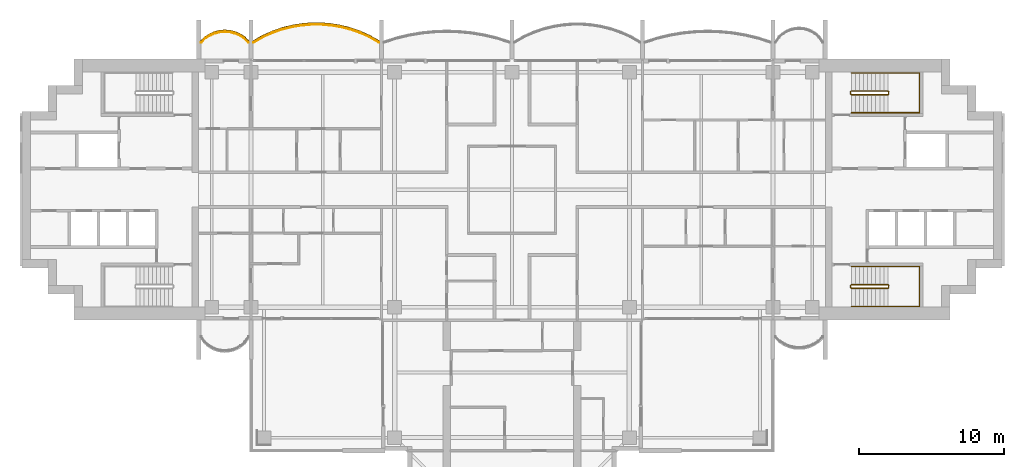
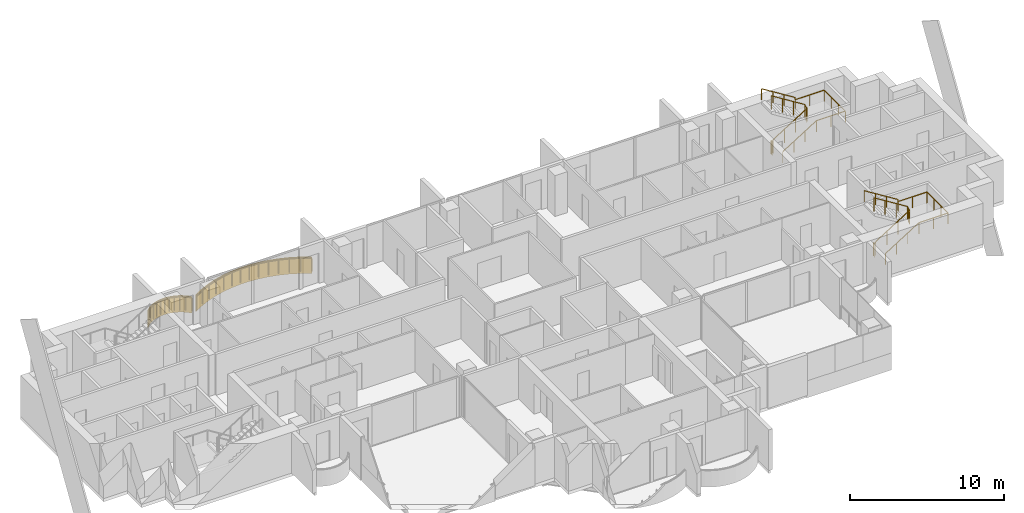
# One storey, part 16 of 17: 6 railings, 2 coverings.
"""IFC4 building model written with IfcOpenShell, lengths in metres."""

from ifc_helpers import new_model, si_unit, direction, frame, origin, origin_2d, place, context, subcontext, project, spatial, polyline, rectangle, outline, extrude, material, layer, layer_set, type_object, element, save


model = new_model("IFC4")

# Units and contexts
model_context = context("Model", 3, precision=1e-05, world=origin(), true_north=direction((0.0, 1.0)))
body_context = subcontext(model_context, "Body", "Model", "MODEL_VIEW")
ifc_project = project(units=[si_unit("LENGTHUNIT", "METRE"), si_unit("AREAUNIT", "SQUARE_METRE"), si_unit("VOLUMEUNIT", "CUBIC_METRE"), si_unit("PLANEANGLEUNIT", "RADIAN"), si_unit("MASSUNIT", "GRAM", prefix="KILO")], contexts=[model_context])

# Site, building, storey
site_placement = place(None, origin())
site = spatial("IfcSite", under=ifc_project, at=site_placement, CompositionType="ELEMENT")
building_placement = place(site_placement, origin())
building = spatial("IfcBuilding", under=site, at=building_placement, Name="Perihelion Cross Residences", CompositionType="ELEMENT")
storey_placement = place(building_placement, frame((0.0, 0.0, 205.10009765625)))
storey = spatial("IfcBuildingStorey", under=building, at=storey_placement, Name="L51", CompositionType="ELEMENT", Elevation=205.10009765625)

# Coverings
ifc_material_1 = material(Name="Bronze anodised aluminium", Category="aluminium")
ifc_layer = layer(ifc_material_1, 0.070068359375)
ifc_layer_set = layer_set([ifc_layer], Name="Balcony fascia 1300")
covering_type = type_object("IfcCoveringType", Name="Balcony fascia 1300", PredefinedType="CLADDING", material=ifc_layer_set)
covering_1_placement = place(storey_placement, frame((0.0, 0.0, -0.2001953125)))
element("IfcCovering", 1, at=covering_1_placement, inside=storey, type_object=covering_type, Name="Fascia BF1 L51 west side north bay 1", PredefinedType="CLADDING", context=body_context, shape_type="SweptSolid", body=[
    extrude(outline(polyline([(-9.787841796875, 10.63916015625), (-10.462646484375, 10.941650390625), (-11.1376953125, 11.175048828125), (-11.8125, 11.345947265625), (-12.487548828125, 11.457763671875), (-13.16259765625, 11.51318359375), (-13.83740234375, 11.51318359375), (-14.512451171875, 11.457763671875), (-15.1875, 11.345947265625), (-15.8623046875, 11.175048828125), (-16.537353515625, 10.941650390625), (-17.212158203125, 10.63916015625), (-17.85009765625, 10.2802734375), (-17.85009765625, 10.199951171875), (-17.1806640625, 10.57666015625), (-16.511474609375, 10.87646484375), (-15.84228515625, 11.108154296875), (-15.173095703125, 11.27734375), (-14.50390625, 11.38818359375), (-13.834716796875, 11.443115234375), (-13.165283203125, 11.443115234375), (-12.49609375, 11.38818359375), (-11.826904296875, 11.27734375), (-11.15771484375, 11.108154296875), (-10.488525390625, 10.87646484375), (-9.8193359375, 10.57666015625), (-9.14990234375, 10.199951171875), (-9.14990234375, 10.2802734375), (-9.787841796875, 10.63916015625)])), origin(), (0.0, 0.0, 1.0), 1.300048828125),
])
covering_2_placement = place(storey_placement, frame((0.0, 0.0, -0.2001953125)))
element("IfcCovering", 2, at=covering_2_placement, inside=storey, type_object=covering_type, Name="Fascia BF1 L51 west side north bay 2", PredefinedType="CLADDING", context=body_context, shape_type="SweptSolid", body=[
    extrude(outline(polyline([(-18.4375, 10.56298828125), (-18.778076171875, 10.77587890625), (-19.11865234375, 10.914794921875), (-19.45947265625, 10.994140625), (-19.800048828125, 11.02001953125), (-20.140625, 10.994140625), (-20.481201171875, 10.914794921875), (-20.82177734375, 10.77587890625), (-21.16259765625, 10.56298828125), (-21.449951171875, 10.295654296875), (-21.449951171875, 10.199951171875), (-21.1201171875, 10.507568359375), (-20.7900390625, 10.71337890625), (-20.4599609375, 10.84814453125), (-20.1298828125, 10.925048828125), (-19.800048828125, 10.949951171875), (-19.469970703125, 10.925048828125), (-19.139892578125, 10.84814453125), (-18.81005859375, 10.71337890625), (-18.47998046875, 10.507568359375), (-18.14990234375, 10.199951171875), (-18.14990234375, 10.295654296875), (-18.4375, 10.56298828125)])), origin(), (0.0, 0.0, 1.0), 1.300048828125),
])

# Railings
ifc_material_2 = material(Name="Bronze anodised aluminium", Category="aluminium")
railing_type_1 = type_object("IfcRailingType", Name="Balcony guard 1100", PredefinedType="GUARDRAIL", material=ifc_material_2)
railing_1_placement = place(storey_placement, frame((-9.175048828125, 10.139892578125, 0.0)))
element("IfcRailing", 3, at=railing_1_placement, inside=storey, type_object=railing_type_1, Name="Guard GU1 L51 west side north bay 1 balcony", PredefinedType="GUARDRAIL", context=body_context, shape_type="SweptSolid", body=[
    extrude(rectangle(XDim=0.048095703125, YDim=0.048095703125, at=origin_2d()), frame((0.0, 0.0, 1.076171875), z_axis=(-0.863125740505, 0.504989065305, 0.0), x_axis=(-0.504989065305, -0.863125740505, 0.0)), (0.0, 0.0, 1.0), 0.746337890625),
    extrude(rectangle(XDim=0.048095703125, YDim=0.048095703125, at=origin_2d()), frame((-0.644287109375, 0.376953125, 1.076171875), z_axis=(-0.912723499295, 0.408577794103, 0.0), x_axis=(-0.408577794103, -0.912723499295, 0.0)), (0.0, 0.0, 1.0), 0.733154296875),
    extrude(rectangle(XDim=0.048095703125, YDim=0.048095703125, at=origin_2d()), frame((-1.3134765625, 0.676513671875, 1.076171875), z_axis=(-0.944965577734, 0.327169767701, 0.0), x_axis=(-0.327169767701, -0.944965577734, 0.0)), (0.0, 0.0, 1.0), 0.708251953125),
    extrude(rectangle(XDim=0.048095703125, YDim=0.048095703125, at=origin_2d()), frame((-1.982666015625, 0.908203125, 1.076171875), z_axis=(-0.96949408574, 0.245114703181, 0.0), x_axis=(-0.245114703181, -0.96949408574, 0.0)), (0.0, 0.0, 1.0), 0.690185546875),
    extrude(rectangle(XDim=0.048095703125, YDim=0.048095703125, at=origin_2d()), frame((-2.65185546875, 1.077392578125, 1.076171875), z_axis=(-0.986500713816, 0.163756959061, 0.0), x_axis=(-0.163756959061, -0.986500713816, 0.0)), (0.0, 0.0, 1.0), 0.678466796875),
    extrude(rectangle(XDim=0.048095703125, YDim=0.048095703125, at=origin_2d()), frame((-3.321044921875, 1.1884765625, 1.076171875), z_axis=(-0.996677390684, 0.081450468994, 0.0), x_axis=(-0.081450468994, -0.996677390684, 0.0)), (0.0, 0.0, 1.0), 0.67138671875),
    extrude(rectangle(XDim=0.048095703125, YDim=0.048095703125, at=origin_2d()), frame((-3.990234375, 1.2431640625, 1.076171875), z_axis=(-1.0, 0.0, 0.0), x_axis=(0.0, -1.0, 0.0)), (0.0, 0.0, 1.0), 0.66943359375),
    extrude(rectangle(XDim=0.048095703125, YDim=0.048095703125, at=origin_2d()), frame((-4.65966796875, 1.2431640625, 1.076171875), z_axis=(-0.996677390684, -0.081450468994, 0.0), x_axis=(0.081450468994, -0.996677390684, 0.0)), (0.0, 0.0, 1.0), 0.67138671875),
    extrude(rectangle(XDim=0.048095703125, YDim=0.048095703125, at=origin_2d()), frame((-5.328857421875, 1.1884765625, 1.076171875), z_axis=(-0.986500713816, -0.163756959061, 0.0), x_axis=(0.163756959061, -0.986500713816, 0.0)), (0.0, 0.0, 1.0), 0.678466796875),
    extrude(rectangle(XDim=0.048095703125, YDim=0.048095703125, at=origin_2d()), frame((-5.998046875, 1.077392578125, 1.076171875), z_axis=(-0.96949408574, -0.245114703181, 0.0), x_axis=(0.245114703181, -0.96949408574, 0.0)), (0.0, 0.0, 1.0), 0.690185546875),
    extrude(rectangle(XDim=0.048095703125, YDim=0.048095703125, at=origin_2d()), frame((-6.667236328125, 0.908203125, 1.076171875), z_axis=(-0.944965577734, -0.327169767701, 0.0), x_axis=(0.327169767701, -0.944965577734, 0.0)), (0.0, 0.0, 1.0), 0.708251953125),
    extrude(rectangle(XDim=0.048095703125, YDim=0.048095703125, at=origin_2d()), frame((-7.33642578125, 0.676513671875, 1.076171875), z_axis=(-0.912723499295, -0.408577794103, 0.0), x_axis=(0.408577794103, -0.912723499295, 0.0)), (0.0, 0.0, 1.0), 0.733154296875),
    extrude(rectangle(XDim=0.048095703125, YDim=0.048095703125, at=origin_2d()), frame((-8.005615234375, 0.376953125, 1.076171875), z_axis=(-0.863125740505, -0.504989065305, 0.0), x_axis=(0.504989065305, -0.863125740505, 0.0)), (0.0, 0.0, 1.0), 0.746337890625),
    extrude(rectangle(XDim=0.0419921875, YDim=0.0419921875, at=origin_2d()), origin(), (0.0, 0.0, 1.0), 1.052001953125),
    extrude(rectangle(XDim=0.0419921875, YDim=0.0419921875, at=origin_2d()), frame((-0.644287109375, 0.376953125, 0.0)), (0.0, 0.0, 1.0), 1.052001953125),
    extrude(rectangle(XDim=0.0419921875, YDim=0.0419921875, at=origin_2d()), frame((-1.3134765625, 0.676513671875, 0.0)), (0.0, 0.0, 1.0), 1.052001953125),
    extrude(rectangle(XDim=0.0419921875, YDim=0.0419921875, at=origin_2d()), frame((-1.982666015625, 0.908203125, 0.0)), (0.0, 0.0, 1.0), 1.052001953125),
    extrude(rectangle(XDim=0.0419921875, YDim=0.0419921875, at=origin_2d()), frame((-2.65185546875, 1.077392578125, 0.0)), (0.0, 0.0, 1.0), 1.052001953125),
    extrude(rectangle(XDim=0.0419921875, YDim=0.0419921875, at=origin_2d()), frame((-3.321044921875, 1.1884765625, 0.0)), (0.0, 0.0, 1.0), 1.052001953125),
    extrude(rectangle(XDim=0.0419921875, YDim=0.0419921875, at=origin_2d()), frame((-3.990234375, 1.2431640625, 0.0)), (0.0, 0.0, 1.0), 1.052001953125),
    extrude(rectangle(XDim=0.0419921875, YDim=0.0419921875, at=origin_2d()), frame((-4.65966796875, 1.2431640625, 0.0)), (0.0, 0.0, 1.0), 1.052001953125),
    extrude(rectangle(XDim=0.0419921875, YDim=0.0419921875, at=origin_2d()), frame((-5.328857421875, 1.1884765625, 0.0)), (0.0, 0.0, 1.0), 1.052001953125),
    extrude(rectangle(XDim=0.0419921875, YDim=0.0419921875, at=origin_2d()), frame((-5.998046875, 1.077392578125, 0.0)), (0.0, 0.0, 1.0), 1.052001953125),
    extrude(rectangle(XDim=0.0419921875, YDim=0.0419921875, at=origin_2d()), frame((-6.667236328125, 0.908203125, 0.0)), (0.0, 0.0, 1.0), 1.052001953125),
    extrude(rectangle(XDim=0.0419921875, YDim=0.0419921875, at=origin_2d()), frame((-7.33642578125, 0.676513671875, 0.0)), (0.0, 0.0, 1.0), 1.052001953125),
    extrude(rectangle(XDim=0.0419921875, YDim=0.0419921875, at=origin_2d()), frame((-8.005615234375, 0.376953125, 0.0)), (0.0, 0.0, 1.0), 1.052001953125),
    extrude(rectangle(XDim=0.0419921875, YDim=0.0419921875, at=origin_2d()), frame((-8.64990234375, 0.0, 0.0)), (0.0, 0.0, 1.0), 1.052001953125),
])
railing_2_placement = place(storey_placement, frame((-18.175048828125, 10.139892578125, 0.0)))
element("IfcRailing", 4, at=railing_2_placement, inside=storey, type_object=railing_type_1, Name="Guard GU1 L51 west side north bay 2 balcony", PredefinedType="GUARDRAIL", context=body_context, shape_type="SweptSolid", body=[
    extrude(rectangle(XDim=0.048095703125, YDim=0.048095703125, at=origin_2d()), frame((0.0, 0.0, 1.076171875), z_axis=(-0.703999905859, 0.710200065158, 0.0), x_axis=(-0.710200065158, -0.703999905859, 0.0)), (0.0, 0.0, 1.0), 0.43310546875),
    extrude(rectangle(XDim=0.048095703125, YDim=0.048095703125, at=origin_2d()), frame((-0.304931640625, 0.3076171875, 1.076171875), z_axis=(-0.848280173265, 0.529547682127, 0.0), x_axis=(-0.529547682127, -0.848280173265, 0.0)), (0.0, 0.0, 1.0), 0.38916015625),
    extrude(rectangle(XDim=0.048095703125, YDim=0.048095703125, at=origin_2d()), frame((-0.635009765625, 0.513671875, 1.076171875), z_axis=(-0.925950379976, 0.377645195682, 0.0), x_axis=(-0.377645195682, -0.925950379976, 0.0)), (0.0, 0.0, 1.0), 0.356201171875),
    extrude(rectangle(XDim=0.048095703125, YDim=0.048095703125, at=origin_2d()), frame((-0.96484375, 0.648193359375, 1.076171875), z_axis=(-0.97391554583, 0.226910796551, 0.0), x_axis=(-0.226910796551, -0.97391554583, 0.0)), (0.0, 0.0, 1.0), 0.3388671875),
    extrude(rectangle(XDim=0.048095703125, YDim=0.048095703125, at=origin_2d()), frame((-1.294921875, 0.72509765625, 1.076171875), z_axis=(-0.997166208737, 0.075229995038, 0.0), x_axis=(-0.075229995038, -0.997166208737, 0.0)), (0.0, 0.0, 1.0), 0.3310546875),
    extrude(rectangle(XDim=0.048095703125, YDim=0.048095703125, at=origin_2d()), frame((-1.625, 0.75, 1.076171875), z_axis=(-0.997162029931, -0.075285364214, 0.0), x_axis=(0.075285364214, -0.997162029931, 0.0)), (0.0, 0.0, 1.0), 0.330810546875),
    extrude(rectangle(XDim=0.048095703125, YDim=0.048095703125, at=origin_2d()), frame((-1.954833984375, 0.72509765625, 1.076171875), z_axis=(-0.97391554583, -0.226910796551, 0.0), x_axis=(0.226910796551, -0.97391554583, 0.0)), (0.0, 0.0, 1.0), 0.3388671875),
    extrude(rectangle(XDim=0.048095703125, YDim=0.048095703125, at=origin_2d()), frame((-2.284912109375, 0.648193359375, 1.076171875), z_axis=(-0.926048033295, -0.377405670374, 0.0), x_axis=(0.377405670374, -0.926048033295, 0.0)), (0.0, 0.0, 1.0), 0.3564453125),
    extrude(rectangle(XDim=0.048095703125, YDim=0.048095703125, at=origin_2d()), frame((-2.614990234375, 0.513671875, 1.076171875), z_axis=(-0.848280173265, -0.529547682127, 0.0), x_axis=(0.529547682127, -0.848280173265, 0.0)), (0.0, 0.0, 1.0), 0.38916015625),
    extrude(rectangle(XDim=0.048095703125, YDim=0.048095703125, at=origin_2d()), frame((-2.945068359375, 0.3076171875, 1.076171875), z_axis=(-0.703999905859, -0.710200065158, 0.0), x_axis=(0.710200065158, -0.703999905859, 0.0)), (0.0, 0.0, 1.0), 0.43310546875),
    extrude(rectangle(XDim=0.0419921875, YDim=0.0419921875, at=origin_2d()), origin(), (0.0, 0.0, 1.0), 1.052001953125),
    extrude(rectangle(XDim=0.0419921875, YDim=0.0419921875, at=origin_2d()), frame((-0.304931640625, 0.3076171875, 0.0)), (0.0, 0.0, 1.0), 1.052001953125),
    extrude(rectangle(XDim=0.0419921875, YDim=0.0419921875, at=origin_2d()), frame((-0.635009765625, 0.513671875, 0.0)), (0.0, 0.0, 1.0), 1.052001953125),
    extrude(rectangle(XDim=0.0419921875, YDim=0.0419921875, at=origin_2d()), frame((-0.96484375, 0.648193359375, 0.0)), (0.0, 0.0, 1.0), 1.052001953125),
    extrude(rectangle(XDim=0.0419921875, YDim=0.0419921875, at=origin_2d()), frame((-1.294921875, 0.72509765625, 0.0)), (0.0, 0.0, 1.0), 1.052001953125),
    extrude(rectangle(XDim=0.0419921875, YDim=0.0419921875, at=origin_2d()), frame((-1.625, 0.75, 0.0)), (0.0, 0.0, 1.0), 1.052001953125),
    extrude(rectangle(XDim=0.0419921875, YDim=0.0419921875, at=origin_2d()), frame((-1.954833984375, 0.72509765625, 0.0)), (0.0, 0.0, 1.0), 1.052001953125),
    extrude(rectangle(XDim=0.0419921875, YDim=0.0419921875, at=origin_2d()), frame((-2.284912109375, 0.648193359375, 0.0)), (0.0, 0.0, 1.0), 1.052001953125),
    extrude(rectangle(XDim=0.0419921875, YDim=0.0419921875, at=origin_2d()), frame((-2.614990234375, 0.513671875, 0.0)), (0.0, 0.0, 1.0), 1.052001953125),
    extrude(rectangle(XDim=0.0419921875, YDim=0.0419921875, at=origin_2d()), frame((-2.945068359375, 0.3076171875, 0.0)), (0.0, 0.0, 1.0), 1.052001953125),
    extrude(rectangle(XDim=0.0419921875, YDim=0.0419921875, at=origin_2d()), frame((-3.25, 0.0, 0.0)), (0.0, 0.0, 1.0), 1.052001953125),
])
ifc_material_3 = material(Name="Stainless steel", Category="steel")
railing_type_2 = type_object("IfcRailingType", Name="Stair guard 1100", PredefinedType="GUARDRAIL", material=ifc_material_3)
railing_3_placement = place(storey_placement, frame((23.35009765625, 6.75, 0.0)))
element("IfcRailing", 5, at=railing_3_placement, inside=storey, type_object=railing_type_2, Name="L51 ST-E1 stair guard 1", PredefinedType="GUARDRAIL", context=body_context, shape_type="SweptSolid", body=[
    extrude(rectangle(XDim=0.048095703125, YDim=0.048095703125, at=origin_2d()), frame((0.0, 0.0, 1.076171875), z_axis=(0.0, -1.0, 0.0), x_axis=(1.0, 0.0, 0.0)), (0.0, 0.0, 1.0), 0.14990234375),
    extrude(rectangle(XDim=0.048095703125, YDim=0.048095703125, at=origin_2d()), frame((0.0, -0.14990234375, 1.076171875), z_axis=(0.264179342666, -0.265474339444, 0.927217692888), x_axis=(0.708833529934, 0.705375805398, 0.0)), (0.0, 0.0, 1.0), 0.1884765625),
    extrude(rectangle(XDim=0.048095703125, YDim=0.048095703125, at=origin_2d()), frame((0.0498046875, -0.199951171875, 1.2509765625), z_axis=(0.847970611238, 0.0, 0.530043245855), x_axis=(0.0, 1.0, 0.0)), (0.0, 0.0, 1.0), 2.971923828125),
    extrude(rectangle(XDim=0.048095703125, YDim=0.048095703125, at=origin_2d()), frame((2.56982421875, -0.199951171875, 2.826171875), z_axis=(0.707106781187, 0.707106781187, 0.0), x_axis=(-0.707106781187, 0.707106781187, 0.0)), (0.0, 0.0, 1.0), 0.07080078125),
    extrude(rectangle(XDim=0.048095703125, YDim=0.048095703125, at=origin_2d()), frame((2.619873046875, -0.14990234375, 2.826171875), z_axis=(0.0, 1.0, 0.0), x_axis=(-1.0, 0.0, 0.0)), (0.0, 0.0, 1.0), 0.14990234375),
    extrude(rectangle(XDim=0.048095703125, YDim=0.048095703125, at=origin_2d()), frame((2.619873046875, 0.0, 2.826171875), z_axis=(-0.265383341853, 0.265383341853, 0.926899867156), x_axis=(-0.707106781187, -0.707106781187, 0.0)), (0.0, 0.0, 1.0), 0.1884765625),
    extrude(rectangle(XDim=0.048095703125, YDim=0.048095703125, at=origin_2d()), frame((2.56982421875, 0.050048828125, 3.0009765625), z_axis=(-0.847970611238, 0.0, 0.530043245855), x_axis=(0.0, -1.0, 0.0)), (0.0, 0.0, 1.0), 2.971923828125),
    extrude(rectangle(XDim=0.0419921875, YDim=0.0419921875, at=origin_2d()), origin(), (0.0, 0.0, 1.0), 1.052001953125),
    extrude(rectangle(XDim=0.0419921875, YDim=0.0419921875, at=origin_2d()), frame((0.0, -0.14990234375, 0.0)), (0.0, 0.0, 1.0), 1.052001953125),
    extrude(rectangle(XDim=0.0419921875, YDim=0.0419921875, at=origin_2d()), frame((0.0498046875, -0.199951171875, 0.1748046875)), (0.0, 0.0, 1.0), 1.052001953125),
    extrude(rectangle(XDim=0.0419921875, YDim=0.0419921875, at=origin_2d()), frame((0.889892578125, -0.199951171875, 0.699951171875)), (0.0, 0.0, 1.0), 1.052001953125),
    extrude(rectangle(XDim=0.0419921875, YDim=0.0419921875, at=origin_2d()), frame((1.729736328125, -0.199951171875, 1.224853515625)), (0.0, 0.0, 1.0), 1.052001953125),
    extrude(rectangle(XDim=0.0419921875, YDim=0.0419921875, at=origin_2d()), frame((2.56982421875, -0.199951171875, 1.75)), (0.0, 0.0, 1.0), 1.052001953125),
    extrude(rectangle(XDim=0.0419921875, YDim=0.0419921875, at=origin_2d()), frame((2.619873046875, -0.14990234375, 1.75)), (0.0, 0.0, 1.0), 1.052001953125),
    extrude(rectangle(XDim=0.0419921875, YDim=0.0419921875, at=origin_2d()), frame((2.619873046875, 0.0, 1.75)), (0.0, 0.0, 1.0), 1.052001953125),
    extrude(rectangle(XDim=0.0419921875, YDim=0.0419921875, at=origin_2d()), frame((2.56982421875, 0.050048828125, 1.9248046875)), (0.0, 0.0, 1.0), 1.052001953125),
    extrude(rectangle(XDim=0.0419921875, YDim=0.0419921875, at=origin_2d()), frame((1.729736328125, 0.050048828125, 2.449951171875)), (0.0, 0.0, 1.0), 1.052001953125),
    extrude(rectangle(XDim=0.0419921875, YDim=0.0419921875, at=origin_2d()), frame((0.889892578125, 0.050048828125, 2.974853515625)), (0.0, 0.0, 1.0), 1.052001953125),
    extrude(rectangle(XDim=0.0419921875, YDim=0.0419921875, at=origin_2d()), frame((0.0498046875, 0.050048828125, 3.5)), (0.0, 0.0, 1.0), 1.052001953125),
])
railing_4_placement = place(storey_placement, frame((23.35009765625, -6.60009765625, 0.0)))
element("IfcRailing", 6, at=railing_4_placement, inside=storey, type_object=railing_type_2, Name="L51 ST-E2 stair guard 1", PredefinedType="GUARDRAIL", context=body_context, shape_type="SweptSolid", body=[
    extrude(rectangle(XDim=0.048095703125, YDim=0.048095703125, at=origin_2d()), frame((0.0, 0.0, 1.076171875), z_axis=(0.0, -1.0, 0.0), x_axis=(1.0, 0.0, 0.0)), (0.0, 0.0, 1.0), 0.14990234375),
    extrude(rectangle(XDim=0.048095703125, YDim=0.048095703125, at=origin_2d()), frame((0.0, -0.14990234375, 1.076171875), z_axis=(0.264179342666, -0.265474339444, 0.927217692888), x_axis=(0.708833529934, 0.705375805398, 0.0)), (0.0, 0.0, 1.0), 0.1884765625),
    extrude(rectangle(XDim=0.048095703125, YDim=0.048095703125, at=origin_2d()), frame((0.0498046875, -0.199951171875, 1.2509765625), z_axis=(0.847970611238, 0.0, 0.530043245855), x_axis=(0.0, 1.0, 0.0)), (0.0, 0.0, 1.0), 2.971923828125),
    extrude(rectangle(XDim=0.048095703125, YDim=0.048095703125, at=origin_2d()), frame((2.56982421875, -0.199951171875, 2.826171875), z_axis=(0.707106781187, 0.707106781187, 0.0), x_axis=(-0.707106781187, 0.707106781187, 0.0)), (0.0, 0.0, 1.0), 0.07080078125),
    extrude(rectangle(XDim=0.048095703125, YDim=0.048095703125, at=origin_2d()), frame((2.619873046875, -0.14990234375, 2.826171875), z_axis=(0.0, 1.0, 0.0), x_axis=(-1.0, 0.0, 0.0)), (0.0, 0.0, 1.0), 0.14990234375),
    extrude(rectangle(XDim=0.048095703125, YDim=0.048095703125, at=origin_2d()), frame((2.619873046875, 0.0, 2.826171875), z_axis=(-0.265383341853, 0.265383341853, 0.926899867156), x_axis=(-0.707106781187, -0.707106781187, 0.0)), (0.0, 0.0, 1.0), 0.1884765625),
    extrude(rectangle(XDim=0.048095703125, YDim=0.048095703125, at=origin_2d()), frame((2.56982421875, 0.050048828125, 3.0009765625), z_axis=(-0.847970611238, 0.0, 0.530043245855), x_axis=(0.0, -1.0, 0.0)), (0.0, 0.0, 1.0), 2.971923828125),
    extrude(rectangle(XDim=0.0419921875, YDim=0.0419921875, at=origin_2d()), origin(), (0.0, 0.0, 1.0), 1.052001953125),
    extrude(rectangle(XDim=0.0419921875, YDim=0.0419921875, at=origin_2d()), frame((0.0, -0.14990234375, 0.0)), (0.0, 0.0, 1.0), 1.052001953125),
    extrude(rectangle(XDim=0.0419921875, YDim=0.0419921875, at=origin_2d()), frame((0.0498046875, -0.199951171875, 0.1748046875)), (0.0, 0.0, 1.0), 1.052001953125),
    extrude(rectangle(XDim=0.0419921875, YDim=0.0419921875, at=origin_2d()), frame((0.889892578125, -0.199951171875, 0.699951171875)), (0.0, 0.0, 1.0), 1.052001953125),
    extrude(rectangle(XDim=0.0419921875, YDim=0.0419921875, at=origin_2d()), frame((1.729736328125, -0.199951171875, 1.224853515625)), (0.0, 0.0, 1.0), 1.052001953125),
    extrude(rectangle(XDim=0.0419921875, YDim=0.0419921875, at=origin_2d()), frame((2.56982421875, -0.199951171875, 1.75)), (0.0, 0.0, 1.0), 1.052001953125),
    extrude(rectangle(XDim=0.0419921875, YDim=0.0419921875, at=origin_2d()), frame((2.619873046875, -0.14990234375, 1.75)), (0.0, 0.0, 1.0), 1.052001953125),
    extrude(rectangle(XDim=0.0419921875, YDim=0.0419921875, at=origin_2d()), frame((2.619873046875, 0.0, 1.75)), (0.0, 0.0, 1.0), 1.052001953125),
    extrude(rectangle(XDim=0.0419921875, YDim=0.0419921875, at=origin_2d()), frame((2.56982421875, 0.050048828125, 1.9248046875)), (0.0, 0.0, 1.0), 1.052001953125),
    extrude(rectangle(XDim=0.0419921875, YDim=0.0419921875, at=origin_2d()), frame((1.729736328125, 0.050048828125, 2.449951171875)), (0.0, 0.0, 1.0), 1.052001953125),
    extrude(rectangle(XDim=0.0419921875, YDim=0.0419921875, at=origin_2d()), frame((0.889892578125, 0.050048828125, 2.974853515625)), (0.0, 0.0, 1.0), 1.052001953125),
    extrude(rectangle(XDim=0.0419921875, YDim=0.0419921875, at=origin_2d()), frame((0.0498046875, 0.050048828125, 3.5)), (0.0, 0.0, 1.0), 1.052001953125),
])
ifc_material_4 = material(Name="Stainless steel", Category="steel")
railing_type_3 = type_object("IfcRailingType", Name="Stair handrail 900", PredefinedType="HANDRAIL", material=ifc_material_4)
railing_5_placement = place(storey_placement, frame((23.39990234375, 5.300048828125, 0.1748046875)))
element("IfcRailing", 7, at=railing_5_placement, inside=storey, type_object=railing_type_3, Name="L51 ST-E1 stair handrail 1", PredefinedType="HANDRAIL", context=body_context, shape_type="SweptSolid", body=[
    extrude(rectangle(XDim=0.048095703125, YDim=0.048095703125, at=origin_2d()), frame((0.0, 0.0, 0.8759765625), z_axis=(0.847970611238, 0.0, 0.530043245855), x_axis=(0.0, 1.0, 0.0)), (0.0, 0.0, 1.0), 2.971923828125),
    extrude(rectangle(XDim=0.048095703125, YDim=0.048095703125, at=origin_2d()), frame((2.52001953125, 0.0, 2.451171875), z_axis=(1.0, 0.0, 0.0), x_axis=(0.0, 1.0, 0.0)), (0.0, 0.0, 1.0), 2.18017578125),
    extrude(rectangle(XDim=0.048095703125, YDim=0.048095703125, at=origin_2d()), frame((4.7001953125, 0.0, 2.451171875), z_axis=(0.0, 1.0, 0.0), x_axis=(-1.0, 0.0, 0.0)), (0.0, 0.0, 1.0), 2.75),
    extrude(rectangle(XDim=0.048095703125, YDim=0.048095703125, at=origin_2d()), frame((4.7001953125, 2.75, 2.451171875), z_axis=(-1.0, 0.0, 0.0), x_axis=(0.0, -1.0, 0.0)), (0.0, 0.0, 1.0), 2.18017578125),
    extrude(rectangle(XDim=0.048095703125, YDim=0.048095703125, at=origin_2d()), frame((2.52001953125, 2.75, 2.451171875), z_axis=(0.0, 0.0, 1.0), x_axis=(1.0, 0.0, 0.0)), (0.0, 0.0, 1.0), 0.1748046875),
    extrude(rectangle(XDim=0.048095703125, YDim=0.048095703125, at=origin_2d()), frame((2.52001953125, 2.75, 2.6259765625), z_axis=(-0.847970611238, 0.0, 0.530043245855), x_axis=(0.0, -1.0, 0.0)), (0.0, 0.0, 1.0), 2.971923828125),
    extrude(rectangle(XDim=0.0419921875, YDim=0.0419921875, at=origin_2d()), origin(), (0.0, 0.0, 1.0), 0.851806640625),
    extrude(rectangle(XDim=0.0419921875, YDim=0.0419921875, at=origin_2d()), frame((0.840087890625, 0.0, 0.525146484375)), (0.0, 0.0, 1.0), 0.851806640625),
    extrude(rectangle(XDim=0.0419921875, YDim=0.0419921875, at=origin_2d()), frame((1.679931640625, 0.0, 1.050048828125)), (0.0, 0.0, 1.0), 0.851806640625),
    extrude(rectangle(XDim=0.0419921875, YDim=0.0419921875, at=origin_2d()), frame((2.52001953125, 0.0, 1.5751953125)), (0.0, 0.0, 1.0), 0.851806640625),
    extrude(rectangle(XDim=0.0419921875, YDim=0.0419921875, at=origin_2d()), frame((3.610107421875, 0.0, 1.5751953125)), (0.0, 0.0, 1.0), 0.851806640625),
    extrude(rectangle(XDim=0.0419921875, YDim=0.0419921875, at=origin_2d()), frame((4.7001953125, 0.0, 1.5751953125)), (0.0, 0.0, 1.0), 0.851806640625),
    extrude(rectangle(XDim=0.0419921875, YDim=0.0419921875, at=origin_2d()), frame((4.7001953125, 0.916748046875, 1.5751953125)), (0.0, 0.0, 1.0), 0.851806640625),
    extrude(rectangle(XDim=0.0419921875, YDim=0.0419921875, at=origin_2d()), frame((4.7001953125, 1.833251953125, 1.5751953125)), (0.0, 0.0, 1.0), 0.851806640625),
    extrude(rectangle(XDim=0.0419921875, YDim=0.0419921875, at=origin_2d()), frame((4.7001953125, 2.75, 1.5751953125)), (0.0, 0.0, 1.0), 0.851806640625),
    extrude(rectangle(XDim=0.0419921875, YDim=0.0419921875, at=origin_2d()), frame((3.610107421875, 2.75, 1.5751953125)), (0.0, 0.0, 1.0), 0.851806640625),
    extrude(rectangle(XDim=0.0419921875, YDim=0.0419921875, at=origin_2d()), frame((2.52001953125, 2.75, 1.5751953125)), (0.0, 0.0, 1.0), 0.851806640625),
    extrude(rectangle(XDim=0.0419921875, YDim=0.0419921875, at=origin_2d()), frame((2.52001953125, 2.75, 1.75)), (0.0, 0.0, 1.0), 0.851806640625),
    extrude(rectangle(XDim=0.0419921875, YDim=0.0419921875, at=origin_2d()), frame((1.679931640625, 2.75, 2.275146484375)), (0.0, 0.0, 1.0), 0.851806640625),
    extrude(rectangle(XDim=0.0419921875, YDim=0.0419921875, at=origin_2d()), frame((0.840087890625, 2.75, 2.800048828125)), (0.0, 0.0, 1.0), 0.851806640625),
    extrude(rectangle(XDim=0.0419921875, YDim=0.0419921875, at=origin_2d()), frame((0.0, 2.75, 3.3251953125)), (0.0, 0.0, 1.0), 0.851806640625),
])
railing_6_placement = place(storey_placement, frame((23.39990234375, -8.050048828125, 0.1748046875)))
element("IfcRailing", 8, at=railing_6_placement, inside=storey, type_object=railing_type_3, Name="L51 ST-E2 stair handrail 1", PredefinedType="HANDRAIL", context=body_context, shape_type="SweptSolid", body=[
    extrude(rectangle(XDim=0.048095703125, YDim=0.048095703125, at=origin_2d()), frame((0.0, 0.0, 0.8759765625), z_axis=(0.847970611238, 0.0, 0.530043245855), x_axis=(0.0, 1.0, 0.0)), (0.0, 0.0, 1.0), 2.971923828125),
    extrude(rectangle(XDim=0.048095703125, YDim=0.048095703125, at=origin_2d()), frame((2.52001953125, 0.0, 2.451171875), z_axis=(1.0, 0.0, 0.0), x_axis=(0.0, 1.0, 0.0)), (0.0, 0.0, 1.0), 2.18017578125),
    extrude(rectangle(XDim=0.048095703125, YDim=0.048095703125, at=origin_2d()), frame((4.7001953125, 0.0, 2.451171875), z_axis=(0.0, 1.0, 0.0), x_axis=(-1.0, 0.0, 0.0)), (0.0, 0.0, 1.0), 2.75),
    extrude(rectangle(XDim=0.048095703125, YDim=0.048095703125, at=origin_2d()), frame((4.7001953125, 2.75, 2.451171875), z_axis=(-1.0, 0.0, 0.0), x_axis=(0.0, -1.0, 0.0)), (0.0, 0.0, 1.0), 2.18017578125),
    extrude(rectangle(XDim=0.048095703125, YDim=0.048095703125, at=origin_2d()), frame((2.52001953125, 2.75, 2.451171875), z_axis=(0.0, 0.0, 1.0), x_axis=(1.0, 0.0, 0.0)), (0.0, 0.0, 1.0), 0.1748046875),
    extrude(rectangle(XDim=0.048095703125, YDim=0.048095703125, at=origin_2d()), frame((2.52001953125, 2.75, 2.6259765625), z_axis=(-0.847970611238, 0.0, 0.530043245855), x_axis=(0.0, -1.0, 0.0)), (0.0, 0.0, 1.0), 2.971923828125),
    extrude(rectangle(XDim=0.0419921875, YDim=0.0419921875, at=origin_2d()), origin(), (0.0, 0.0, 1.0), 0.851806640625),
    extrude(rectangle(XDim=0.0419921875, YDim=0.0419921875, at=origin_2d()), frame((0.840087890625, 0.0, 0.525146484375)), (0.0, 0.0, 1.0), 0.851806640625),
    extrude(rectangle(XDim=0.0419921875, YDim=0.0419921875, at=origin_2d()), frame((1.679931640625, 0.0, 1.050048828125)), (0.0, 0.0, 1.0), 0.851806640625),
    extrude(rectangle(XDim=0.0419921875, YDim=0.0419921875, at=origin_2d()), frame((2.52001953125, 0.0, 1.5751953125)), (0.0, 0.0, 1.0), 0.851806640625),
    extrude(rectangle(XDim=0.0419921875, YDim=0.0419921875, at=origin_2d()), frame((3.610107421875, 0.0, 1.5751953125)), (0.0, 0.0, 1.0), 0.851806640625),
    extrude(rectangle(XDim=0.0419921875, YDim=0.0419921875, at=origin_2d()), frame((4.7001953125, 0.0, 1.5751953125)), (0.0, 0.0, 1.0), 0.851806640625),
    extrude(rectangle(XDim=0.0419921875, YDim=0.0419921875, at=origin_2d()), frame((4.7001953125, 0.916748046875, 1.5751953125)), (0.0, 0.0, 1.0), 0.851806640625),
    extrude(rectangle(XDim=0.0419921875, YDim=0.0419921875, at=origin_2d()), frame((4.7001953125, 1.833251953125, 1.5751953125)), (0.0, 0.0, 1.0), 0.851806640625),
    extrude(rectangle(XDim=0.0419921875, YDim=0.0419921875, at=origin_2d()), frame((4.7001953125, 2.75, 1.5751953125)), (0.0, 0.0, 1.0), 0.851806640625),
    extrude(rectangle(XDim=0.0419921875, YDim=0.0419921875, at=origin_2d()), frame((3.610107421875, 2.75, 1.5751953125)), (0.0, 0.0, 1.0), 0.851806640625),
    extrude(rectangle(XDim=0.0419921875, YDim=0.0419921875, at=origin_2d()), frame((2.52001953125, 2.75, 1.5751953125)), (0.0, 0.0, 1.0), 0.851806640625),
    extrude(rectangle(XDim=0.0419921875, YDim=0.0419921875, at=origin_2d()), frame((2.52001953125, 2.75, 1.75)), (0.0, 0.0, 1.0), 0.851806640625),
    extrude(rectangle(XDim=0.0419921875, YDim=0.0419921875, at=origin_2d()), frame((1.679931640625, 2.75, 2.275146484375)), (0.0, 0.0, 1.0), 0.851806640625),
    extrude(rectangle(XDim=0.0419921875, YDim=0.0419921875, at=origin_2d()), frame((0.840087890625, 2.75, 2.800048828125)), (0.0, 0.0, 1.0), 0.851806640625),
    extrude(rectangle(XDim=0.0419921875, YDim=0.0419921875, at=origin_2d()), frame((0.0, 2.75, 3.3251953125)), (0.0, 0.0, 1.0), 0.851806640625),
])

save(model, "model.ifc")
